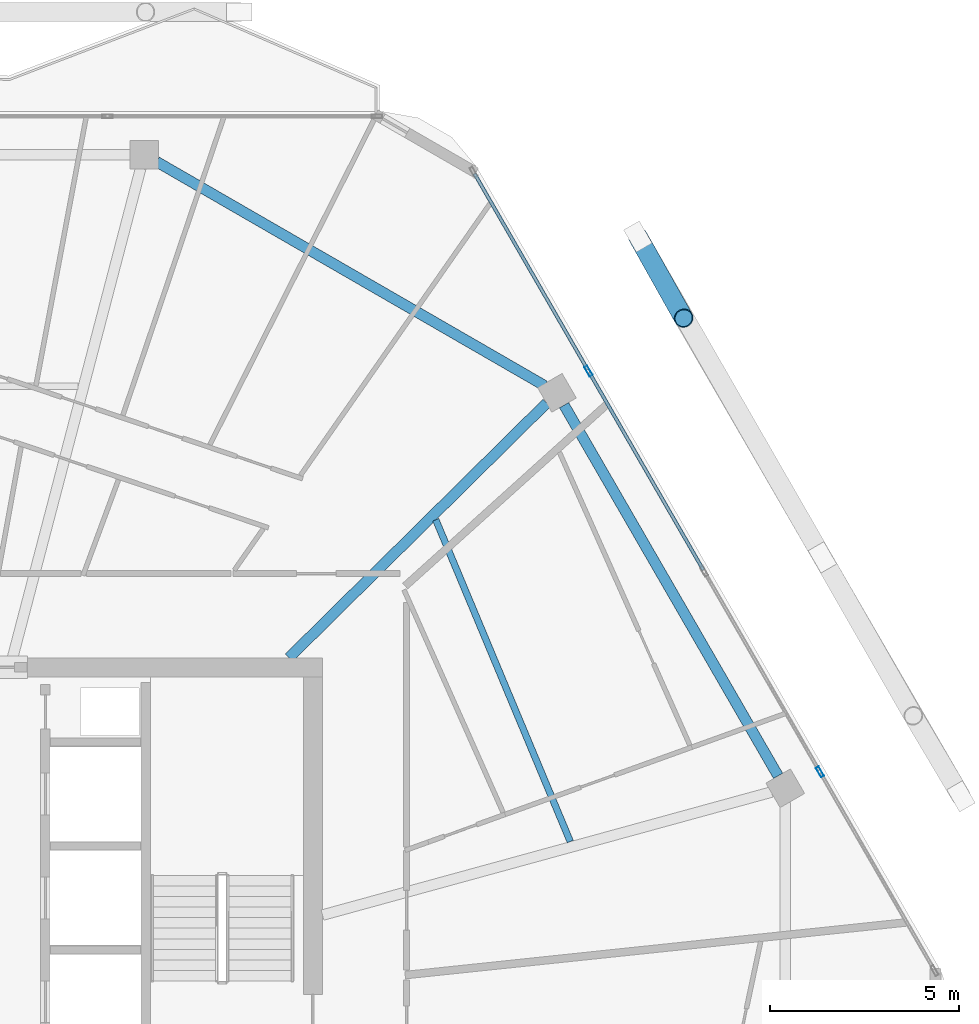
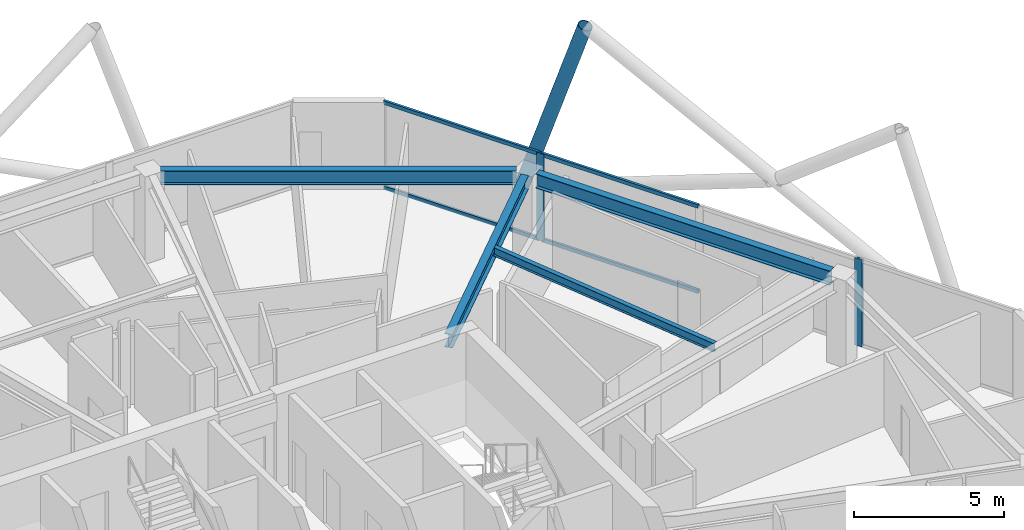
# One storey, part 12 of 23: 7 members, 4 beams, 1 element without a shape of its own.
"""IFC4 building model written with IfcOpenShell, lengths in metres."""

from ifc_helpers import new_model, si_unit, direction, frame, origin, origin_2d, place, context, subcontext, project, spatial, hollow_rectangle, hollow_circle, i_section, extrude, material, material_profile, profile_set, type_object, element, aggregate, save


model = new_model("IFC4")

# Units and contexts
model_context = context("Model", 3, precision=1e-05, world=origin(), true_north=direction((0.0, 1.0)))
body_context = subcontext(model_context, "Body", "Model", "MODEL_VIEW")
ifc_project = project(units=[si_unit("LENGTHUNIT", "METRE"), si_unit("AREAUNIT", "SQUARE_METRE"), si_unit("VOLUMEUNIT", "CUBIC_METRE"), si_unit("PLANEANGLEUNIT", "RADIAN"), si_unit("MASSUNIT", "GRAM", prefix="KILO")], contexts=[model_context])

# Site, building, storey
site_placement = place(None, origin())
site = spatial("IfcSite", under=ifc_project, at=site_placement, CompositionType="ELEMENT")
building_placement = place(site_placement, origin())
building = spatial("IfcBuilding", under=site, at=building_placement, Name="Zuhravey Tower", CompositionType="ELEMENT")
storey_placement = place(building_placement, frame((0.0, 0.0, 346.199951171875)))
storey = spatial("IfcBuildingStorey", under=building, at=storey_placement, Name="L88", CompositionType="ELEMENT", Elevation=346.199951171875)

# Curtain wall, members
ifc_material_1 = material(Name="Thermally broken anodised aluminium", Category="aluminium")
curtain_wall_type = type_object("IfcCurtainWallType", Name="Zone 3-4 High-Rise Curtain Wall CW4", PredefinedType="NOTDEFINED", material=ifc_material_1)
curtain_wall_placement = place(storey_placement, origin())
curtain_wall = element("IfcCurtainWall", 1, at=curtain_wall_placement, inside=storey, type_object=curtain_wall_type, Name="L88 CW4 CW-L88-F1-1", PredefinedType="NOTDEFINED")
ifc_material_2 = material(Name="Anodised aluminium", Category="aluminium")
ifc_material_profile_1 = material_profile(ifc_material_2, hollow_rectangle(XDim=0.090087890625, YDim=0.284912109375, WallThickness=0.0048828125, at=origin_2d()), Name="ALU-RHS-90x285x5")
ifc_profile_set_1 = profile_set([ifc_material_profile_1], Name="Anodised aluminium")
member_type_1 = type_object("IfcMemberType", Name="Curtain-Wall Mullion 90x180", PredefinedType="MULLION", material=ifc_profile_set_1)
member_1_placement = place(storey_placement, frame((53.788818359375, 49.3369140625, 0.0), z_axis=(0.0, 0.0, 1.0), x_axis=(0.866025511541, 0.49999981336, 0.0)))
member_1 = element("IfcMember", 2, at=member_1_placement, type_object=member_type_1, Name="CW4 mullion 2", PredefinedType="MULLION", context=body_context, shape_type="SweptSolid", body=[
    extrude(hollow_rectangle(XDim=0.090087890625, YDim=0.284912109375, WallThickness=0.0048828125, at=origin_2d()), origin(), (0.0, 0.0, 1.0), 3.550048828125),
])
member_2_placement = place(storey_placement, frame((59.90869140625, 38.7373046875, 0.0), z_axis=(0.0, 0.0, 1.0), x_axis=(0.866025511541, 0.49999981336, 0.0)))
member_2 = element("IfcMember", 3, at=member_2_placement, type_object=member_type_1, Name="CW4 mullion 4", PredefinedType="MULLION", context=body_context, shape_type="SweptSolid", body=[
    extrude(hollow_rectangle(XDim=0.090087890625, YDim=0.284912109375, WallThickness=0.0048828125, at=origin_2d()), origin(), (0.0, 0.0, 1.0), 3.550048828125),
])
ifc_material_profile_2 = material_profile(ifc_material_2, hollow_rectangle(XDim=0.090087890625, YDim=0.14990234375, WallThickness=0.0048828125, at=origin_2d()), Name="ALU-RHS-90x150x5")
ifc_profile_set_2 = profile_set([ifc_material_profile_2], Name="Anodised aluminium")
member_type_2 = type_object("IfcMemberType", Name="Curtain-Wall Transom 90x150", PredefinedType="USERDEFINED", material=ifc_profile_set_2)
member_3_placement = place(storey_placement, frame((50.774169921875, 54.55859375, 0.045166015625), z_axis=(0.499982594807, -0.866035452444, 0.0), x_axis=(0.866035452444, 0.499982594807, 0.0)))
member_3 = element("IfcMember", 4, at=member_3_placement, type_object=member_type_2, Name="CW4 transom 1.1", ObjectType="TRANSOM", PredefinedType="USERDEFINED", context=body_context, shape_type="SweptSolid", body=[
    extrude(hollow_rectangle(XDim=0.090087890625, YDim=0.14990234375, WallThickness=0.0048828125, at=origin_2d()), origin(), (0.0, 0.0, 1.0), 5.984619140625),
])
member_4_placement = place(storey_placement, frame((50.774169921875, 54.55859375, 3.505126953125), z_axis=(0.499982594807, -0.866035452444, 0.0), x_axis=(0.866035452444, 0.499982594807, 0.0)))
member_4 = element("IfcMember", 5, at=member_4_placement, type_object=member_type_2, Name="CW4 transom 1.2", ObjectType="TRANSOM", PredefinedType="USERDEFINED", context=body_context, shape_type="SweptSolid", body=[
    extrude(hollow_rectangle(XDim=0.090087890625, YDim=0.14990234375, WallThickness=0.0048828125, at=origin_2d()), origin(), (0.0, 0.0, 1.0), 5.984619140625),
])
member_5_placement = place(storey_placement, frame((53.8115234375, 49.2978515625, 0.045166015625), z_axis=(0.499971305196, -0.866041970103, 0.0), x_axis=(0.866041970103, 0.499971305196, 0.0)))
member_5 = element("IfcMember", 6, at=member_5_placement, type_object=member_type_2, Name="CW4 transom 2.1", ObjectType="TRANSOM", PredefinedType="USERDEFINED", context=body_context, shape_type="SweptSolid", body=[
    extrude(hollow_rectangle(XDim=0.090087890625, YDim=0.14990234375, WallThickness=0.0048828125, at=origin_2d()), origin(), (0.0, 0.0, 1.0), 6.029541015625),
])
member_6_placement = place(storey_placement, frame((53.8115234375, 49.2978515625, 3.505126953125), z_axis=(0.499971305196, -0.866041970103, 0.0), x_axis=(0.866041970103, 0.499971305196, 0.0)))
member_6 = element("IfcMember", 7, at=member_6_placement, type_object=member_type_2, Name="CW4 transom 2.2", ObjectType="TRANSOM", PredefinedType="USERDEFINED", context=body_context, shape_type="SweptSolid", body=[
    extrude(hollow_rectangle(XDim=0.090087890625, YDim=0.14990234375, WallThickness=0.0048828125, at=origin_2d()), origin(), (0.0, 0.0, 1.0), 6.029541015625),
])
aggregate(curtain_wall, [member_1, member_2, member_3, member_4, member_5, member_6])

# Member
ifc_material_3 = material(Name="Steel SM355", Category="steel")
ifc_material_profile_3 = material_profile(ifc_material_3, hollow_circle(Radius=0.25390625, WallThickness=0.02490234375, at=origin_2d()), Name="CHS-508.0x25")
ifc_profile_set_3 = profile_set([ifc_material_profile_3], Name="Steel SM355")
member_type_3 = type_object("IfcMemberType", Name="Exoskeleton Zone 4 Diagrid CHS508x25", PredefinedType="BRACE", material=ifc_profile_set_3)
member_7_placement = place(storey_placement, frame((55.0966796875, 52.891357421875, -0.447998046875), z_axis=(0.15446548668, -0.2751143767, 0.948921752916), x_axis=(0.87196307079, 0.489571652751, 0.0)))
element("IfcMember", 8, at=member_7_placement, inside=storey, type_object=member_type_3, Name="L88 Face 1 Diagrid Brace 4", PredefinedType="BRACE", context=body_context, shape_type="SweptSolid", body=[
    extrude(hollow_circle(Radius=0.25390625, WallThickness=0.02490234375, at=origin_2d()), origin(), (0.0, 0.0, 1.0), 7.833251953125),
])

# Beams
ifc_material_profile_4 = material_profile(ifc_material_3, i_section(OverallWidth=0.280029296875, OverallDepth=0.580078125, WebThickness=0.011962890625, FlangeThickness=0.01904296875, at=origin_2d()), Name="H-580x280x12x19")
ifc_profile_set_4 = profile_set([ifc_material_profile_4], Name="Steel SM355")
beam_type_1 = type_object("IfcBeamType", Name="Perimeter Ring Beam H580x280", PredefinedType="BEAM", material=ifc_profile_set_4)
beam_1_placement = place(storey_placement, frame((58.804443359375, 38.629638671875, 3.260009765625), z_axis=(-0.499993743963, 0.866029015679, 0.0), x_axis=(-0.866029015679, -0.499993743963, 0.0)))
element("IfcBeam", 9, at=beam_1_placement, inside=storey, type_object=beam_type_1, Name="L88 PB4 BM-L88-PB-01", PredefinedType="BEAM", context=body_context, shape_type="SweptSolid", body=[
    extrude(i_section(OverallWidth=0.280029296875, OverallDepth=0.580078125, WebThickness=0.011962890625, FlangeThickness=0.01904296875, at=origin_2d()), origin(), (0.0, 0.0, 1.0), 11.321533203125),
])
beam_2_placement = place(storey_placement, frame((52.62744140625, 48.95068359375, 3.260009765625), z_axis=(-0.866030838723, 0.499990586292, 0.0), x_axis=(-0.499990586292, -0.866030838723, 0.0)))
element("IfcBeam", 10, at=beam_2_placement, inside=storey, type_object=beam_type_1, Name="L88 PB4 BM-L88-PB-02", PredefinedType="BEAM", context=body_context, shape_type="SweptSolid", body=[
    extrude(i_section(OverallWidth=0.280029296875, OverallDepth=0.580078125, WebThickness=0.011962890625, FlangeThickness=0.01904296875, at=origin_2d()), origin(), (0.0, 0.0, 1.0), 11.848876953125),
])
ifc_material_profile_5 = material_profile(ifc_material_3, i_section(OverallWidth=0.280029296875, OverallDepth=0.550048828125, WebThickness=0.010986328125, FlangeThickness=0.01806640625, at=origin_2d()), Name="H-550x280x11x18")
ifc_profile_set_5 = profile_set([ifc_material_profile_5], Name="Steel SM355")
beam_type_2 = type_object("IfcBeamType", Name="Radial Primary Girder H550x280", PredefinedType="BEAM", material=ifc_profile_set_5)
beam_3_placement = place(storey_placement, frame((45.865234375, 41.7529296875, 3.275146484375), z_axis=(0.711142578304, 0.703047817238, 0.0), x_axis=(-0.703047817238, 0.711142578304, 0.0)))
element("IfcBeam", 11, at=beam_3_placement, inside=storey, type_object=beam_type_2, Name="L88 RG4 BM-L88-RAD-02", PredefinedType="BEAM", context=body_context, shape_type="SweptSolid", body=[
    extrude(i_section(OverallWidth=0.280029296875, OverallDepth=0.550048828125, WebThickness=0.010986328125, FlangeThickness=0.01806640625, at=origin_2d()), origin(), (0.0, 0.0, 1.0), 9.591064453125),
])
ifc_material_profile_6 = material_profile(ifc_material_3, i_section(OverallWidth=0.175048828125, OverallDepth=0.35009765625, WebThickness=0.007080078125, FlangeThickness=0.010986328125, at=origin_2d()), Name="H-350x175x7x11")
ifc_profile_set_6 = profile_set([ifc_material_profile_6], Name="Steel SM355")
beam_type_3 = type_object("IfcBeamType", Name="Secondary Floor Joist H350x175", PredefinedType="JOIST", material=ifc_profile_set_6)
beam_4_placement = place(storey_placement, frame((53.307373046875, 36.891845703125, 3.375), z_axis=(-0.385657891576, 0.922641853953, 0.0), x_axis=(-0.922641853953, -0.385657891576, 0.0)))
element("IfcBeam", 12, at=beam_4_placement, inside=storey, type_object=beam_type_3, Name="L88 SJ3 BM-L88-SJ-01-1", PredefinedType="JOIST", context=body_context, shape_type="SweptSolid", body=[
    extrude(i_section(OverallWidth=0.175048828125, OverallDepth=0.35009765625, WebThickness=0.007080078125, FlangeThickness=0.010986328125, at=origin_2d()), origin(), (0.0, 0.0, 1.0), 9.226806640625),
])

save(model, "model.ifc")
